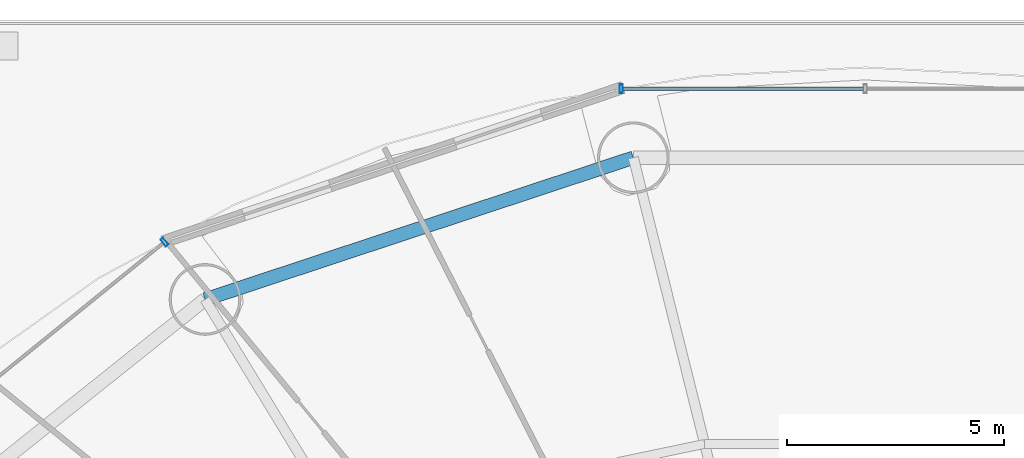
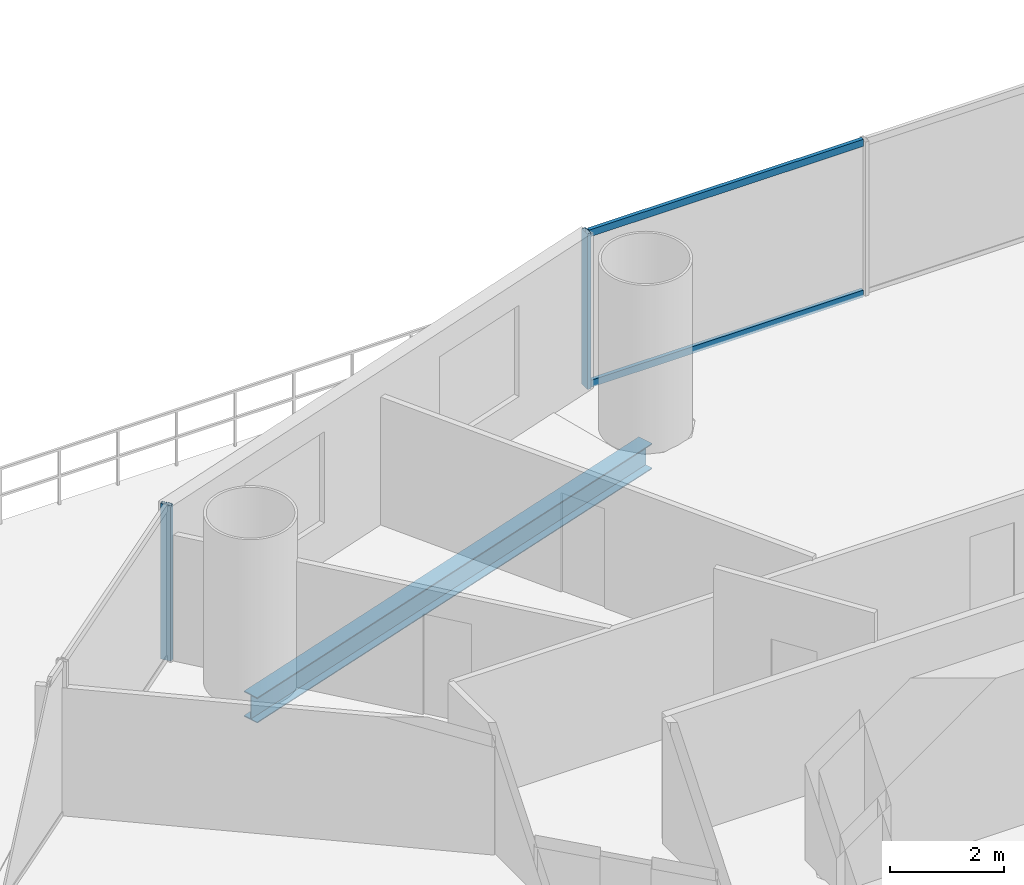
# One storey, part 24 of 37: 4 members, 1 beam, 2 elements without a shape of their own.
"""IFC4 building model written with IfcOpenShell, lengths in metres."""

from ifc_helpers import new_model, si_unit, direction, frame, origin, origin_2d, place, context, subcontext, project, spatial, hollow_rectangle, i_section, extrude, source, transform, mapped, material, material_profile, profile_set, type_object, element, aggregate, save


model = new_model("IFC4")

# Units and contexts
model_context = context("Model", 3, precision=1e-05, world=origin(), true_north=direction((-0.2419218956, 0.970295726276)))
body_context = subcontext(model_context, "Body", "Model", "MODEL_VIEW")
ifc_project = project(units=[si_unit("LENGTHUNIT", "METRE"), si_unit("AREAUNIT", "SQUARE_METRE"), si_unit("VOLUMEUNIT", "CUBIC_METRE"), si_unit("PLANEANGLEUNIT", "RADIAN"), si_unit("MASSUNIT", "GRAM", prefix="KILO")], contexts=[model_context])

# Site, building, storey
site_placement = place(None, origin())
site = spatial("IfcSite", under=ifc_project, at=site_placement, CompositionType="ELEMENT")
building_placement = place(site_placement, origin())
building = spatial("IfcBuilding", under=site, at=building_placement, Name="Cobrevalo Terracotta Tower", CompositionType="ELEMENT")
storey_placement = place(building_placement, frame((0.0, 0.0, 24.0)))
storey = spatial("IfcBuildingStorey", under=building, at=storey_placement, Name="L05", CompositionType="ELEMENT", Elevation=24.0)

# Beam
ifc_material_1 = material(Name="Steel S355", Category="steel")
ifc_material_profile_1 = material_profile(ifc_material_1, i_section(OverallWidth=0.31201171875, OverallDepth=0.54296875, WebThickness=0.0126953125, FlangeThickness=0.020263671875, at=origin_2d()), Name="W 530x150")
ifc_profile_set_1 = profile_set([ifc_material_profile_1], Name="Steel S355")
beam_type = type_object("IfcBeamType", Name="Structural Spandrel W 530x150 (Steel S355)", PredefinedType="SPANDREL", material=ifc_profile_set_1)
beam_placement = place(storey_placement, frame((32.664306640625, 48.230224609375, -0.551513671875), z_axis=(-0.949365190876, -0.314174687638, 0.0), x_axis=(0.314174687638, -0.949365190876, 0.0)))
element("IfcBeam", 1, at=beam_placement, inside=storey, type_object=beam_type, Name="L05 perimeter ring spandrel 05", PredefinedType="SPANDREL", context=body_context, shape_type="SweptSolid", body=[
    extrude(i_section(OverallWidth=0.31201171875, OverallDepth=0.54296875, WebThickness=0.0126953125, FlangeThickness=0.020263671875, at=origin_2d()), origin(), (0.0, 0.0, 1.0), 10.385009765625),
])

# Curtain wall, member
ifc_material_2 = material(Name="Anodized aluminium", Category="aluminium")
curtain_wall_type = type_object("IfcCurtainWallType", Name="Lower-tower unitised acoustic low-E curtain wall CW-U1", PredefinedType="NOTDEFINED", material=ifc_material_2)
curtain_wall_1_placement = place(storey_placement, origin())
curtain_wall_1 = element("IfcCurtainWall", 2, at=curtain_wall_1_placement, inside=storey, type_object=curtain_wall_type, Name="L05 curtain wall CW-L05-S04", PredefinedType="NOTDEFINED")
ifc_material_profile_2 = material_profile(ifc_material_2, hollow_rectangle(XDim=0.074951171875, YDim=0.199951171875, WallThickness=0.0048828125, at=origin_2d()), Name="CWM 75x200")
ifc_profile_set_2 = profile_set([ifc_material_profile_2], Name="Anodized aluminium")
member_type_1 = type_object("IfcMemberType", Name="Lower/mid tower unitised mullion 75x200", PredefinedType="MULLION", material=ifc_profile_set_2)
shared_shape_1 = source(origin(), body_context, "Body", "SweptSolid", [
    extrude(hollow_rectangle(XDim=0.074951171875, YDim=0.199951171875, WallThickness=0.0048828125, at=origin_2d()), origin(), (0.0, 0.0, 1.0), 3.320068359375),
])
member_1_placement = place(storey_placement, frame((32.38818359375, 49.819091796875, 0.0), z_axis=(0.0, 0.0, 1.0), x_axis=(-1.0, 0.0, 0.0)))
member_1 = element("IfcMember", 3, at=member_1_placement, type_object=member_type_1, Name="CW-L05-S04 vertical mullion 03", PredefinedType="MULLION", context=body_context, shape_type="MappedRepresentation", body=[
    mapped(shared_shape_1, transform((0.0, 0.0, 0.0), scale=1.0)),
])

curtain_wall_2_placement = place(storey_placement, origin())
curtain_wall_2 = element("IfcCurtainWall", 4, at=curtain_wall_2_placement, inside=storey, type_object=curtain_wall_type, Name="L05 curtain wall CW-L05-S06", PredefinedType="NOTDEFINED")
member_2_placement = place(storey_placement, frame((21.8740234375, 46.289306640625, 0.0), z_axis=(0.0, 0.0, 1.0), x_axis=(-0.777003153187, -0.629496703675, 0.0)))
member_2 = element("IfcMember", 5, at=member_2_placement, type_object=member_type_1, Name="CW-L05-S06 vertical mullion 01", PredefinedType="MULLION", context=body_context, shape_type="MappedRepresentation", body=[
    mapped(shared_shape_1, transform((0.0, 0.0, 0.0), scale=1.0)),
])
aggregate(curtain_wall_2, [member_2])

# Member
ifc_material_profile_3 = material_profile(ifc_material_2, hollow_rectangle(XDim=0.074951171875, YDim=0.14990234375, WallThickness=0.00439453125, at=origin_2d()), Name="CWT 75x150")
ifc_profile_set_3 = profile_set([ifc_material_profile_3], Name="Anodized aluminium")
member_type_2 = type_object("IfcMemberType", Name="Tower unitised aluminium transom 75x150", PredefinedType="USERDEFINED", material=ifc_profile_set_3)
shared_shape_2 = source(origin(), body_context, "Body", "SweptSolid", [
    extrude(hollow_rectangle(XDim=0.074951171875, YDim=0.14990234375, WallThickness=0.00439453125, at=origin_2d()), origin(), (0.0, 0.0, 1.0), 5.53173828125),
])
member_3_placement = place(storey_placement, frame((37.9599609375, 49.819091796875, 0.050048828125), z_axis=(-1.0, 0.0, 0.0), x_axis=(0.0, -1.0, 0.0)))
member_3 = element("IfcMember", 6, at=member_3_placement, type_object=member_type_2, Name="CW-L05-S04 transom B02-T1", ObjectType="TRANSOM", PredefinedType="USERDEFINED", context=body_context, shape_type="MappedRepresentation", body=[
    mapped(shared_shape_2, transform((0.0, 0.0, 0.0), scale=1.0)),
])

member_4_placement = place(storey_placement, frame((37.9599609375, 49.819091796875, 3.27001953125), z_axis=(-1.0, 0.0, 0.0), x_axis=(0.0, -1.0, 0.0)))
member_4 = element("IfcMember", 7, at=member_4_placement, type_object=member_type_2, Name="CW-L05-S04 transom B02-T2", ObjectType="TRANSOM", PredefinedType="USERDEFINED", context=body_context, shape_type="MappedRepresentation", body=[
    mapped(shared_shape_2, transform((0.0, 0.0, 0.0), scale=1.0)),
])

aggregate(curtain_wall_1, [member_1, member_3, member_4])

save(model, "model.ifc")
